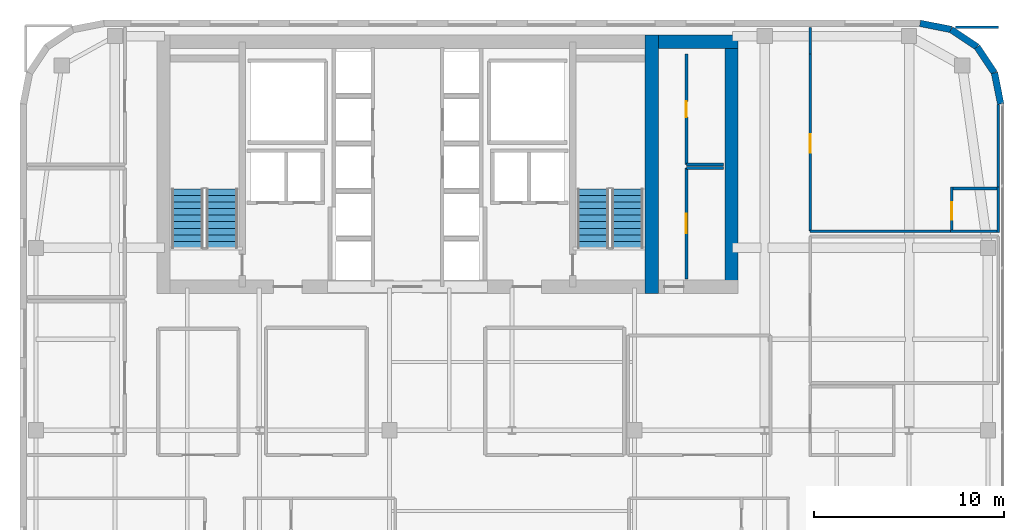
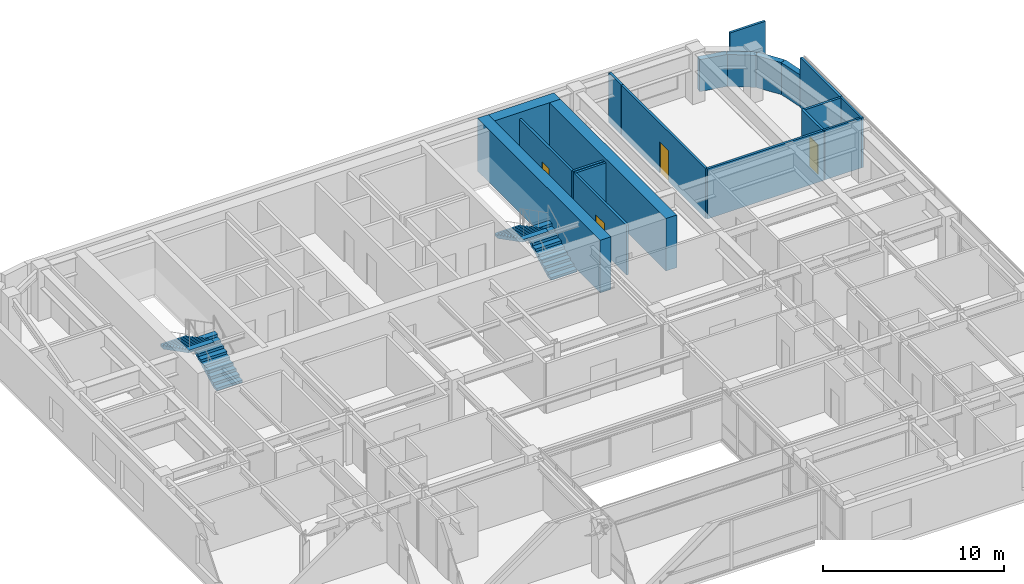
# One storey, part 18 of 20: 20 walls, 4 doors, 4 stair flights, 4 openings, 2 elements without a shape of their own.
"""IFC4 building model written with IfcOpenShell, lengths in metres."""

from ifc_helpers import new_model, si_unit, direction, frame, frame_2d, origin, place, context, subcontext, project, spatial, polyline, rectangle, outline, extrude, source, transform, mapped, material, layer, layer_set, type_object, type_shapes, element, fill, aggregate, save


model = new_model("IFC4")

# Units and contexts
model_context = context("Model", 3, precision=1e-05, world=origin(), true_north=direction((0.0, 1.0)))
body_context = subcontext(model_context, "Body", "Model", "MODEL_VIEW")
ifc_project = project(units=[si_unit("LENGTHUNIT", "METRE"), si_unit("AREAUNIT", "SQUARE_METRE"), si_unit("VOLUMEUNIT", "CUBIC_METRE"), si_unit("PLANEANGLEUNIT", "RADIAN"), si_unit("MASSUNIT", "GRAM", prefix="KILO")], contexts=[model_context])

# Site, building, storey
site_placement = place(None, origin())
site = spatial("IfcSite", under=ifc_project, at=site_placement, CompositionType="ELEMENT")
building_placement = place(site_placement, origin())
building = spatial("IfcBuilding", under=site, at=building_placement, Name="Tolvann Quenvar Hotel", CompositionType="ELEMENT")
storey_placement = place(building_placement, frame((0.0, 0.0, 171.89990234375)))
storey = spatial("IfcBuildingStorey", under=building, at=storey_placement, Name="L45", CompositionType="ELEMENT", Elevation=171.89990234375)

# Walls
ifc_material_1 = material(Name="Concrete S65 (65 MPa)", Category="concrete")
ifc_layer_1 = layer(ifc_material_1, 0.699951171875)
ifc_layer_set_1 = layer_set([ifc_layer_1], Name="Concrete S65 (65 MPa)")
wall_type_1 = type_object("IfcWallType", Name="WALL_CORE_700", PredefinedType="SHEAR", material=ifc_layer_set_1)
wall_1_placement = place(storey_placement, frame((35.85009765625, 31.60009765625, 0.0), z_axis=(0.0, 0.0, 1.0), x_axis=(0.0, 1.0, 0.0)))
element("IfcWall", 1, at=wall_1_placement, inside=storey, type_object=wall_type_1, Name="Rear Core E Shear Wall (L45)", PredefinedType="SHEAR", context=body_context, shape_type="SweptSolid", body=[
    extrude(rectangle(XDim=13.599853515625, YDim=0.699951171875, at=frame_2d((6.7998046875, 0.0))), origin(), (0.0, 0.0, 1.0), 3.550048828125),
])
wall_2_placement = place(storey_placement, frame((36.199951171875, 44.85009765625, 0.0), z_axis=(0.0, 0.0, 1.0), x_axis=(1.0, 0.0, 0.0)))
element("IfcWall", 2, at=wall_2_placement, inside=storey, type_object=wall_type_1, Name="Core East Annex Shear Wall ANN-N (L45)", PredefinedType="SHEAR", context=body_context, shape_type="SweptSolid", body=[
    extrude(rectangle(XDim=4.199951171875, YDim=0.699951171875, at=frame_2d((2.10009765625, 0.0))), origin(), (0.0, 0.0, 1.0), 3.550048828125),
])
wall_3_placement = place(storey_placement, frame((40.050048828125, 31.60009765625, 0.0), z_axis=(0.0, 0.0, 1.0), x_axis=(0.0, 1.0, 0.0)))
element("IfcWall", 3, at=wall_3_placement, inside=storey, type_object=wall_type_1, Name="Core East Annex Shear Wall ANN-E (L45)", PredefinedType="SHEAR", context=body_context, shape_type="SweptSolid", body=[
    extrude(rectangle(XDim=13.599853515625, YDim=0.699951171875, at=frame_2d((6.7998046875, 0.0))), origin(), (0.0, 0.0, 1.0), 3.550048828125),
])
ifc_material_2 = material(Name="Kiln-fired red and buff architectural clay brickwork and terracotta masonry", Category="masonry")
ifc_layer_2 = layer(ifc_material_2, 0.35009765625)
ifc_layer_set_2 = layer_set([ifc_layer_2], Name="Kiln-fired red and buff architectural clay brickwork and terracotta masonry")
wall_type_2 = type_object("IfcWallType", Name="WALL_EXT_BRICK_350", PredefinedType="SOLIDWALL", material=ifc_layer_set_2)
wall_4_placement = place(storey_placement, frame((54.22509765625, 41.582763671875, 0.0), z_axis=(0.0, 0.0, 1.0), x_axis=(-0.195044345786, 0.980794424524, 0.0)))
element("IfcWall", 4, at=wall_4_placement, inside=storey, type_object=wall_type_2, Name="Exterior Chicago Brick Wall L45-E14", PredefinedType="SOLIDWALL", context=body_context, shape_type="SweptSolid", body=[
    extrude(rectangle(XDim=1.664794921875, YDim=0.35009765625, at=frame_2d((0.83251953125, 0.0))), origin(), (0.0, 0.0, 1.0), 2.16015625),
])
for number, where, z_axis, x_axis, name in (
    (5, (53.900390625, 43.215576171875, 0.0), (0.0, 0.0, 1.0), (-0.555623290322, 0.831434158098, 0.0), "Exterior Chicago Brick Wall L45-E15"),
    (6, (52.985107421875, 44.585205078125, 0.0), (0.0, 0.0, 1.0), (-0.831502623162, 0.555520825599, 0.0), "Exterior Chicago Brick Wall L45-E16"),
):
    element("IfcWall", number, at=place(storey_placement, frame(where, z_axis=z_axis, x_axis=x_axis)), inside=storey, type_object=wall_type_2, Name=name, PredefinedType="SOLIDWALL", context=body_context, shape_type="SweptSolid", body=[
        extrude(rectangle(XDim=1.647216796875, YDim=0.35009765625, at=frame_2d((0.82373046875, 0.0))), origin(), (0.0, 0.0, 1.0), 2.16015625),
    ])
wall_5_placement = place(storey_placement, frame((51.615478515625, 45.500244140625, 0.0), z_axis=(0.0, 0.0, 1.0), x_axis=(-0.980788844421, 0.195072403631, 0.0)))
element("IfcWall", 7, at=wall_5_placement, inside=storey, type_object=wall_type_2, Name="Exterior Chicago Brick Wall L45-E17", PredefinedType="SOLIDWALL", context=body_context, shape_type="SweptSolid", body=[
    extrude(rectangle(XDim=1.66455078125, YDim=0.35009765625, at=frame_2d((0.832275390625, 0.0))), origin(), (0.0, 0.0, 1.0), 2.16015625),
])
ifc_material_3 = material(Name="Moisture-resistant acoustic plumbing wall assembly")
ifc_layer_3 = layer(ifc_material_3, 0.1201171875)
ifc_layer_set_3 = layer_set([ifc_layer_3], Name="Moisture-resistant acoustic plumbing wall assembly")
wall_type_3 = type_object("IfcWallType", Name="WALL_PART_BATH_120", PredefinedType="PLUMBINGWALL", material=ifc_layer_set_3)
wall_6_placement = place(storey_placement, frame((51.580078125, 34.8798828125, 0.0), z_axis=(0.0, 0.0, 1.0), x_axis=(1.0, 0.0, 0.0)))
element("IfcWall", 8, at=wall_6_placement, inside=storey, type_object=wall_type_3, Name="Non-Rated Plumbing Partition PT-SPC-L45-ENS-NE01-S", PredefinedType="PLUMBINGWALL", context=body_context, shape_type="SweptSolid", body=[
    extrude(rectangle(XDim=2.58984375, YDim=0.1201171875, at=frame_2d((1.294921875, 0.0))), origin(), (0.0, 0.0, 1.0), 3.3701171875),
])
wall_7_placement = place(storey_placement, frame((54.10009765625, 34.81005859375, 0.0), z_axis=(0.0, 0.0, 1.0), x_axis=(0.0, 1.0, 0.0)))
element("IfcWall", 9, at=wall_7_placement, inside=storey, type_object=wall_type_3, Name="Non-Rated Plumbing Partition PT-SPC-L45-ENS-NE01-E", PredefinedType="PLUMBINGWALL", context=body_context, shape_type="SweptSolid", body=[
    extrude(rectangle(XDim=2.389892578125, YDim=0.1201171875, at=frame_2d((1.19482421875, 0.0))), origin(), (0.0, 0.0, 1.0), 3.3701171875),
])

# Wall, opening, door
ifc_material_4 = material(Name="Acoustic twin-stud fire-rated gypsum plasterboard partition")
ifc_layer_4 = layer(ifc_material_4, 0.14990234375)
ifc_layer_set_4 = layer_set([ifc_layer_4], Name="Acoustic twin-stud fire-rated gypsum plasterboard partition")
wall_type_4 = type_object("IfcWallType", Name="WALL_PART_SUITE_150", PredefinedType="PARTITIONING", material=ifc_layer_set_4)
wall_8_placement = place(storey_placement, frame((51.64990234375, 34.81005859375, 0.0), z_axis=(0.0, 0.0, 1.0), x_axis=(0.0, 1.0, 0.0)))
wall_8 = element("IfcWall", 10, at=wall_8_placement, inside=storey, type_object=wall_type_4, Name="Interior Partition PT-SPC-L45-ENS-NE01-ENT", PredefinedType="PARTITIONING", context=body_context, shape_type="SweptSolid", body=[
    extrude(rectangle(XDim=2.389892578125, YDim=0.14990234375, at=frame_2d((1.19482421875, 0.0))), origin(), (0.0, 0.0, 1.0), 3.3701171875),
])
opening_1_placement = place(wall_8_placement, frame((0.6650390625, 0.0, 0.0)))
opening_1 = element("IfcOpeningElement", 11, at=opening_1_placement, cuts=wall_8, Name="Opening WD-01", PredefinedType="OPENING", context=body_context, shape_type="SweptSolid", body=[
    extrude(rectangle(XDim=0.919921875, YDim=2.010009765625, at=frame_2d((0.4599609375, 1.0048828125))), frame((0.0, 0.0849609375, 0.0), z_axis=(0.0, -1.0, 0.0), x_axis=(1.0, 0.0, 0.0)), (0.0, 0.0, 1.0), 0.169921875),
])
ifc_material_5 = material(Name="Solid-core American oak acoustic fire door leaf in steel frame", Category="steel")
door_type_1 = type_object("IfcDoorType", Name="DOOR_WC_920", OperationType="NOTDEFINED", PredefinedType="DOOR", material=ifc_material_5)
shared_shape_1 = source(origin(), body_context, "Body", "SweptSolid", [
    extrude(rectangle(XDim=0.919921875, YDim=2.010009765625, at=frame_2d((0.4599609375, 1.0048828125))), frame((0.0, 0.02490234375, 0.0), z_axis=(0.0, -1.0, 0.0), x_axis=(1.0, 0.0, 0.0)), (0.0, 0.0, 1.0), 0.050048828125),
])
type_shapes(door_type_1, [shared_shape_1])
door_1_placement = place(opening_1_placement, origin())
door_1 = element("IfcDoor", 12, at=door_1_placement, inside=storey, type_object=door_type_1, Name="Interior Door DOOR-SPC-L45-ENS-NE01", OperationType="SINGLE_SWING_RIGHT", OverallHeight=2.010009765625, OverallWidth=0.919921875, PredefinedType="DOOR", context=body_context, shape_type="MappedRepresentation", body=[
    mapped(shared_shape_1, transform((0.0, 0.0, 0.0), x_axis=(1.0, 0.0, 0.0), y_axis=(0.0, 1.0, 0.0), z_axis=(0.0, 0.0, 1.0), scale=1.0)),
])
fill(opening_1, door_1)

# Walls
wall_9_placement = place(storey_placement, frame((51.580078125, 37.1298828125, 0.0), z_axis=(0.0, 0.0, 1.0), x_axis=(1.0, 0.0, 0.0)))
element("IfcWall", 13, at=wall_9_placement, inside=storey, type_object=wall_type_4, Name="Interior Partition PT-SPC-L45-ENS-NE01-N", PredefinedType="PARTITIONING", context=body_context, shape_type="SweptSolid", body=[
    extrude(rectangle(XDim=2.58984375, YDim=0.14990234375, at=frame_2d((1.294921875, 0.0))), origin(), (0.0, 0.0, 1.0), 3.3701171875),
])
wall_10_placement = place(storey_placement, frame((37.679931640625, 38.199951171875, 0.0), z_axis=(0.0, 0.0, 1.0), x_axis=(1.0, 0.0, 0.0)))
element("IfcWall", 14, at=wall_10_placement, inside=storey, type_object=wall_type_4, Name="Interior Partition PT-SPC-L45-RECPL-1-N", PredefinedType="PARTITIONING", context=body_context, shape_type="SweptSolid", body=[
    extrude(rectangle(XDim=1.965087890625, YDim=0.14990234375, at=frame_2d((0.982421875, 0.0))), origin(), (0.0, 0.0, 1.0), 3.3701171875),
])

# Wall, opening, door
wall_11_placement = place(storey_placement, frame((37.679931640625, 32.35498046875, 0.0), z_axis=(0.0, 0.0, 1.0), x_axis=(0.0, 1.0, 0.0)))
wall_11 = element("IfcWall", 15, at=wall_11_placement, inside=storey, type_object=wall_type_4, Name="Interior Partition PT-SPC-L45-RECPL-1-W", PredefinedType="PARTITIONING", context=body_context, shape_type="SweptSolid", body=[
    extrude(rectangle(XDim=5.844970703125, YDim=0.14990234375, at=frame_2d((2.92236328125, 0.0))), origin(), (0.0, 0.0, 1.0), 3.3701171875),
])
opening_2_placement = place(wall_11_placement, frame((2.41259765625, 0.0, 0.0)))
opening_2 = element("IfcOpeningElement", 16, at=opening_2_placement, cuts=wall_11, Name="Opening HD-01", PredefinedType="OPENING", context=body_context, shape_type="SweptSolid", body=[
    extrude(rectangle(XDim=1.02001953125, YDim=2.030029296875, at=frame_2d((0.510009765625, 1.01513671875))), frame((0.0, 0.0849609375, 0.0), z_axis=(0.0, -1.0, 0.0), x_axis=(1.0, 0.0, 0.0)), (0.0, 0.0, 1.0), 0.169921875),
])
ifc_material_6 = material(Name="Pressed galvanised steel fire-rated door set", Category="steel")
door_type_2 = type_object("IfcDoorType", Name="DOOR_BOH_1020", OperationType="NOTDEFINED", PredefinedType="DOOR", material=ifc_material_6)
shared_shape_2 = source(origin(), body_context, "Body", "SweptSolid", [
    extrude(rectangle(XDim=1.02001953125, YDim=2.030029296875, at=frame_2d((0.510009765625, 1.01513671875))), frame((0.0, 0.02490234375, 0.0), z_axis=(0.0, -1.0, 0.0), x_axis=(1.0, 0.0, 0.0)), (0.0, 0.0, 1.0), 0.050048828125),
])
type_shapes(door_type_2, [shared_shape_2])
door_2_placement = place(opening_2_placement, origin())
door_2 = element("IfcDoor", 17, at=door_2_placement, inside=storey, type_object=door_type_2, Name="Interior Door DOOR-SPC-L45-RECPL-1", OperationType="SINGLE_SWING_LEFT", OverallHeight=2.030029296875, OverallWidth=1.02001953125, PredefinedType="DOOR", context=body_context, shape_type="MappedRepresentation", body=[
    mapped(shared_shape_2, transform((0.0, 0.0, 0.0), x_axis=(1.0, 0.0, 0.0), y_axis=(0.0, 1.0, 0.0), z_axis=(0.0, 0.0, 1.0), scale=1.0)),
])
fill(opening_2, door_2)

# Wall
wall_12_placement = place(storey_placement, frame((37.679931640625, 38.39990234375, 0.0), z_axis=(0.0, 0.0, 1.0), x_axis=(1.0, 0.0, 0.0)))
element("IfcWall", 18, at=wall_12_placement, inside=storey, type_object=wall_type_4, Name="Interior Partition PT-SPC-L45-CSE-1-S", PredefinedType="PARTITIONING", context=body_context, shape_type="SweptSolid", body=[
    extrude(rectangle(XDim=1.965087890625, YDim=0.14990234375, at=frame_2d((0.982421875, 0.0))), origin(), (0.0, 0.0, 1.0), 3.3701171875),
])

# Wall, opening, door
wall_13_placement = place(storey_placement, frame((37.679931640625, 38.39990234375, 0.0), z_axis=(0.0, 0.0, 1.0), x_axis=(0.0, 1.0, 0.0)))
wall_13 = element("IfcWall", 19, at=wall_13_placement, inside=storey, type_object=wall_type_4, Name="Interior Partition PT-SPC-L45-CSE-1-W", PredefinedType="PARTITIONING", context=body_context, shape_type="SweptSolid", body=[
    extrude(rectangle(XDim=5.800048828125, YDim=0.14990234375, at=frame_2d((2.89990234375, 0.0))), origin(), (0.0, 0.0, 1.0), 3.3701171875),
])
opening_3_placement = place(wall_13_placement, frame((2.489990234375, 0.0, 0.0)))
opening_3 = element("IfcOpeningElement", 20, at=opening_3_placement, cuts=wall_13, Name="Opening HD-02", PredefinedType="OPENING", context=body_context, shape_type="SweptSolid", body=[
    extrude(rectangle(XDim=0.820068359375, YDim=2.010009765625, at=frame_2d((0.41015625, 1.0048828125))), frame((0.0, 0.0849609375, 0.0), z_axis=(0.0, -1.0, 0.0), x_axis=(1.0, 0.0, 0.0)), (0.0, 0.0, 1.0), 0.169921875),
])
door_type_3 = type_object("IfcDoorType", Name="DOOR_STORE_820", OperationType="NOTDEFINED", PredefinedType="DOOR", material=ifc_material_6)
shared_shape_3 = source(origin(), body_context, "Body", "SweptSolid", [
    extrude(rectangle(XDim=0.820068359375, YDim=2.010009765625, at=frame_2d((0.41015625, 1.0048828125))), frame((0.0, 0.02490234375, 0.0), z_axis=(0.0, -1.0, 0.0), x_axis=(1.0, 0.0, 0.0)), (0.0, 0.0, 1.0), 0.050048828125),
])
type_shapes(door_type_3, [shared_shape_3])
door_3_placement = place(opening_3_placement, origin())
door_3 = element("IfcDoor", 21, at=door_3_placement, inside=storey, type_object=door_type_3, Name="Interior Door DOOR-SPC-L45-CSE-1", OperationType="SINGLE_SWING_RIGHT", OverallHeight=2.010009765625, OverallWidth=0.820068359375, PredefinedType="DOOR", context=body_context, shape_type="MappedRepresentation", body=[
    mapped(shared_shape_3, transform((0.0, 0.0, 0.0), x_axis=(1.0, 0.0, 0.0), y_axis=(0.0, 1.0, 0.0), z_axis=(0.0, 0.0, 1.0), scale=1.0)),
])
fill(opening_3, door_3)

wall_14_placement = place(storey_placement, frame((44.199951171875, 34.8798828125, 0.0), z_axis=(0.0, 0.0, 1.0), x_axis=(0.0, 1.0, 0.0)))
wall_14 = element("IfcWall", 22, at=wall_14_placement, inside=storey, type_object=wall_type_4, Name="Interior Partition PT-SPC-L45-RM-NE01-ENT", PredefinedType="PARTITIONING", context=body_context, shape_type="SweptSolid", body=[
    extrude(rectangle(XDim=9.330078125, YDim=0.14990234375, at=frame_2d((4.6650390625, 0.0))), origin(), (0.0, 0.0, 1.0), 3.3701171875),
])
opening_4_placement = place(wall_14_placement, frame((4.1201171875, 0.0, 0.0)))
opening_4 = element("IfcOpeningElement", 23, at=opening_4_placement, cuts=wall_14, Name="Opening SD-01", PredefinedType="OPENING", context=body_context, shape_type="SweptSolid", body=[
    extrude(rectangle(XDim=0.97998046875, YDim=2.1201171875, at=frame_2d((0.489990234375, 1.06005859375))), frame((0.0, 0.0849609375, 0.0), z_axis=(0.0, -1.0, 0.0), x_axis=(1.0, 0.0, 0.0)), (0.0, 0.0, 1.0), 0.169921875),
])
door_type_4 = type_object("IfcDoorType", Name="DOOR_SUITE_980", OperationType="NOTDEFINED", PredefinedType="DOOR", material=ifc_material_5)
shared_shape_4 = source(origin(), body_context, "Body", "SweptSolid", [
    extrude(rectangle(XDim=0.97998046875, YDim=2.1201171875, at=frame_2d((0.489990234375, 1.06005859375))), frame((0.0, 0.02490234375, 0.0), z_axis=(0.0, -1.0, 0.0), x_axis=(1.0, 0.0, 0.0)), (0.0, 0.0, 1.0), 0.050048828125),
])
type_shapes(door_type_4, [shared_shape_4])
door_4_placement = place(opening_4_placement, origin())
door_4 = element("IfcDoor", 24, at=door_4_placement, inside=storey, type_object=door_type_4, Name="Interior Door DOOR-SPC-L45-RM-NE01", OperationType="SINGLE_SWING_RIGHT", OverallHeight=2.1201171875, OverallWidth=0.97998046875, PredefinedType="DOOR", context=body_context, shape_type="MappedRepresentation", body=[
    mapped(shared_shape_4, transform((0.0, 0.0, 0.0), x_axis=(1.0, 0.0, 0.0), y_axis=(0.0, 1.0, 0.0), z_axis=(0.0, 0.0, 1.0), scale=1.0)),
])
fill(opening_4, door_4)

# Walls
wall_15_placement = place(storey_placement, frame((44.199951171875, 34.8798828125, 0.0), z_axis=(0.0, 0.0, 1.0), x_axis=(1.0, 0.0, 0.0)))
element("IfcWall", 25, at=wall_15_placement, inside=storey, type_object=wall_type_4, Name="Interior Partition PT-SPC-L45-RM-NE01-E1", PredefinedType="PARTITIONING", context=body_context, shape_type="SweptSolid", body=[
    extrude(rectangle(XDim=7.429931640625, YDim=0.14990234375, at=frame_2d((3.71484375, 0.0))), origin(), (0.0, 0.0, 1.0), 3.3701171875),
])
wall_16_placement = place(storey_placement, frame((54.10009765625, 37.14990234375, 0.0), z_axis=(0.0, 0.0, 1.0), x_axis=(0.0, 1.0, 0.0)))
element("IfcWall", 26, at=wall_16_placement, inside=storey, type_object=wall_type_4, Name="Interior Partition PT-SPC-L45-RM-NE01-E4", PredefinedType="PARTITIONING", context=body_context, shape_type="SweptSolid", body=[
    extrude(rectangle(XDim=4.408203125, YDim=0.14990234375, at=frame_2d((2.2041015625, 0.0))), origin(), (0.0, 0.0, 1.0), 3.3701171875),
])
wall_17_placement = place(storey_placement, frame((51.85009765625, 45.6201171875, 0.0), z_axis=(0.0, 0.0, 1.0), x_axis=(1.0, 0.0, 0.0)))
element("IfcWall", 27, at=wall_17_placement, inside=storey, type_object=wall_type_4, Name="Interior Partition PT-SPC-L45-RM-NE01-E5", PredefinedType="PARTITIONING", context=body_context, shape_type="SweptSolid", body=[
    extrude(rectangle(XDim=2.25, YDim=0.14990234375, at=frame_2d((1.125, 0.0))), origin(), (0.0, 0.0, 1.0), 3.3701171875),
])
wall_18_placement = place(storey_placement, frame((44.199951171875, 44.219970703125, 0.0), z_axis=(0.0, 0.0, 1.0), x_axis=(0.0, 1.0, 0.0)))
element("IfcWall", 28, at=wall_18_placement, inside=storey, type_object=wall_type_4, Name="Interior Partition PT-SPC-L45-RM-NE01-E6", PredefinedType="PARTITIONING", context=body_context, shape_type="SweptSolid", body=[
    extrude(rectangle(XDim=1.375, YDim=0.14990234375, at=frame_2d((0.6875, 0.0))), origin(), (0.0, 0.0, 1.0), 3.3701171875),
])

# Stair, stair flights
ifc_material_7 = material(Name="Concrete N40 (40 MPa)", Category="concrete")
stair_type = type_object("IfcStairType", Name="STAIR", PredefinedType="HALF_TURN_STAIR", material=ifc_material_7)
stair_1_placement = place(storey_placement, origin())
stair_1 = element("IfcStair", 29, at=stair_1_placement, inside=storey, type_object=stair_type, Name="L45 ST-C1", PredefinedType="HALF_TURN_STAIR")
stair_flight_type = type_object("IfcStairFlightType", Name="STAIR_FLIGHT", PredefinedType="STRAIGHT", material=ifc_material_7)
stair_flight_1_placement = place(storey_placement, frame((13.22509765625, 34.0, 0.0), z_axis=(0.0, 0.0, 1.0), x_axis=(0.0, 1.0, 0.0)))
stair_flight_1 = element("IfcStairFlight", 30, at=stair_flight_1_placement, type_object=stair_flight_type, Name="ST-C1 flight 1", NumberOfRisers=10, NumberOfTreads=9, PredefinedType="STRAIGHT", RiserHeight=0.1775, TreadLength=0.345, context=body_context, shape_type="SweptSolid", body=[
    extrude(outline(polyline([(0.0, 0.0), (0.0, 0.177490234375), (0.344970703125, 0.177490234375), (0.344970703125, 0.35498046875), (0.68994140625, 0.35498046875), (0.68994140625, 0.532470703125), (1.034912109375, 0.532470703125), (1.034912109375, 0.7099609375), (1.3798828125, 0.7099609375), (1.3798828125, 0.887451171875), (1.72509765625, 0.887451171875), (1.72509765625, 1.06494140625), (2.070068359375, 1.06494140625), (2.070068359375, 1.242431640625), (2.4150390625, 1.242431640625), (2.4150390625, 1.419921875), (2.760009765625, 1.419921875), (2.760009765625, 1.597412109375), (3.10498046875, 1.597412109375), (3.10498046875, 1.77490234375), (3.10498046875, 1.428955078125), (0.32763671875, 0.0), (0.0, 0.0)])), frame((0.0, 0.824951171875, 0.0), z_axis=(0.0, -1.0, 0.0), x_axis=(1.0, 0.0, 0.0)), (0.0, 0.0, 1.0), 1.64990234375),
])
stair_flight_2_placement = place(storey_placement, frame((11.425048828125, 37.10498046875, 1.775146484375), z_axis=(0.0, 0.0, 1.0), x_axis=(0.0, -1.0, 0.0)))
stair_flight_2 = element("IfcStairFlight", 31, at=stair_flight_2_placement, type_object=stair_flight_type, Name="ST-C1 flight 2", NumberOfRisers=10, NumberOfTreads=9, PredefinedType="STRAIGHT", RiserHeight=0.1775, TreadLength=0.345, context=body_context, shape_type="SweptSolid", body=[
    extrude(outline(polyline([(0.0, 0.0), (0.0, 0.177490234375), (0.344970703125, 0.177490234375), (0.344970703125, 0.35498046875), (0.68994140625, 0.35498046875), (0.68994140625, 0.532470703125), (1.034912109375, 0.532470703125), (1.034912109375, 0.7099609375), (1.3798828125, 0.7099609375), (1.3798828125, 0.887451171875), (1.72509765625, 0.887451171875), (1.72509765625, 1.06494140625), (2.070068359375, 1.06494140625), (2.070068359375, 1.242431640625), (2.4150390625, 1.242431640625), (2.4150390625, 1.419921875), (2.760009765625, 1.419921875), (2.760009765625, 1.597412109375), (3.10498046875, 1.597412109375), (3.10498046875, 1.77490234375), (3.10498046875, 1.428955078125), (0.32763671875, 0.0), (0.0, 0.0)])), frame((0.0, 0.824951171875, 0.0), z_axis=(0.0, -1.0, 0.0), x_axis=(1.0, 0.0, 0.0)), (0.0, 0.0, 1.0), 1.64990234375),
])
aggregate(stair_1, [stair_flight_1, stair_flight_2])

stair_2_placement = place(storey_placement, origin())
stair_2 = element("IfcStair", 32, at=stair_2_placement, inside=storey, type_object=stair_type, Name="L45 ST-C2", PredefinedType="HALF_TURN_STAIR")
stair_flight_3_placement = place(storey_placement, frame((34.574951171875, 34.0, 0.0), z_axis=(0.0, 0.0, 1.0), x_axis=(0.0, 1.0, 0.0)))
stair_flight_3 = element("IfcStairFlight", 33, at=stair_flight_3_placement, type_object=stair_flight_type, Name="ST-C2 flight 1", NumberOfRisers=10, NumberOfTreads=9, PredefinedType="STRAIGHT", RiserHeight=0.1775, TreadLength=0.345, context=body_context, shape_type="SweptSolid", body=[
    extrude(outline(polyline([(0.0, 0.0), (0.0, 0.177490234375), (0.344970703125, 0.177490234375), (0.344970703125, 0.35498046875), (0.68994140625, 0.35498046875), (0.68994140625, 0.532470703125), (1.034912109375, 0.532470703125), (1.034912109375, 0.7099609375), (1.3798828125, 0.7099609375), (1.3798828125, 0.887451171875), (1.72509765625, 0.887451171875), (1.72509765625, 1.06494140625), (2.070068359375, 1.06494140625), (2.070068359375, 1.242431640625), (2.4150390625, 1.242431640625), (2.4150390625, 1.419921875), (2.760009765625, 1.419921875), (2.760009765625, 1.597412109375), (3.10498046875, 1.597412109375), (3.10498046875, 1.77490234375), (3.10498046875, 1.428955078125), (0.32763671875, 0.0), (0.0, 0.0)])), frame((0.0, 0.824951171875, 0.0), z_axis=(0.0, -1.0, 0.0), x_axis=(1.0, 0.0, 0.0)), (0.0, 0.0, 1.0), 1.64990234375),
])
stair_flight_4_placement = place(storey_placement, frame((32.77490234375, 37.10498046875, 1.775146484375), z_axis=(0.0, 0.0, 1.0), x_axis=(0.0, -1.0, 0.0)))
stair_flight_4 = element("IfcStairFlight", 34, at=stair_flight_4_placement, type_object=stair_flight_type, Name="ST-C2 flight 2", NumberOfRisers=10, NumberOfTreads=9, PredefinedType="STRAIGHT", RiserHeight=0.1775, TreadLength=0.345, context=body_context, shape_type="SweptSolid", body=[
    extrude(outline(polyline([(0.0, 0.0), (0.0, 0.177490234375), (0.344970703125, 0.177490234375), (0.344970703125, 0.35498046875), (0.68994140625, 0.35498046875), (0.68994140625, 0.532470703125), (1.034912109375, 0.532470703125), (1.034912109375, 0.7099609375), (1.3798828125, 0.7099609375), (1.3798828125, 0.887451171875), (1.72509765625, 0.887451171875), (1.72509765625, 1.06494140625), (2.070068359375, 1.06494140625), (2.070068359375, 1.242431640625), (2.4150390625, 1.242431640625), (2.4150390625, 1.419921875), (2.760009765625, 1.419921875), (2.760009765625, 1.597412109375), (3.10498046875, 1.597412109375), (3.10498046875, 1.77490234375), (3.10498046875, 1.428955078125), (0.32763671875, 0.0), (0.0, 0.0)])), frame((0.0, 0.824951171875, 0.0), z_axis=(0.0, -1.0, 0.0), x_axis=(1.0, 0.0, 0.0)), (0.0, 0.0, 1.0), 1.64990234375),
])
aggregate(stair_2, [stair_flight_3, stair_flight_4])

save(model, "model.ifc")
